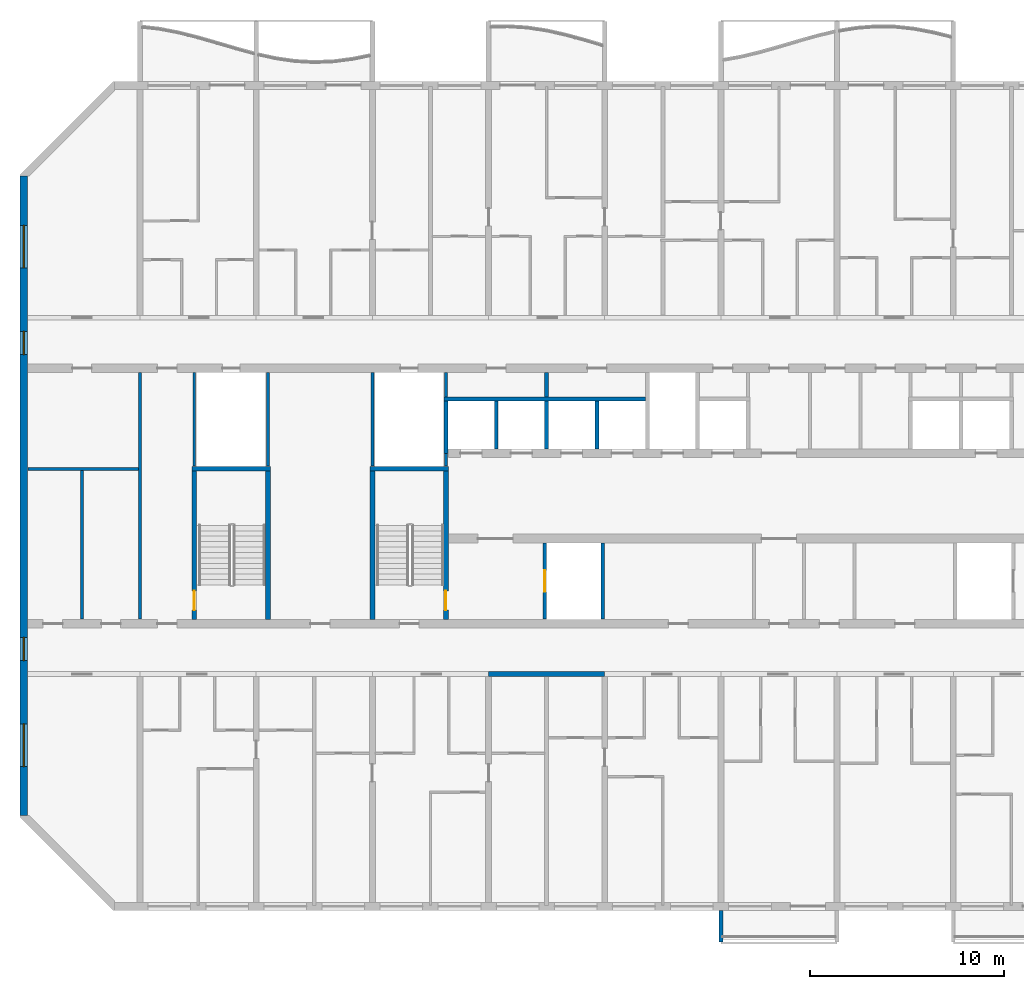
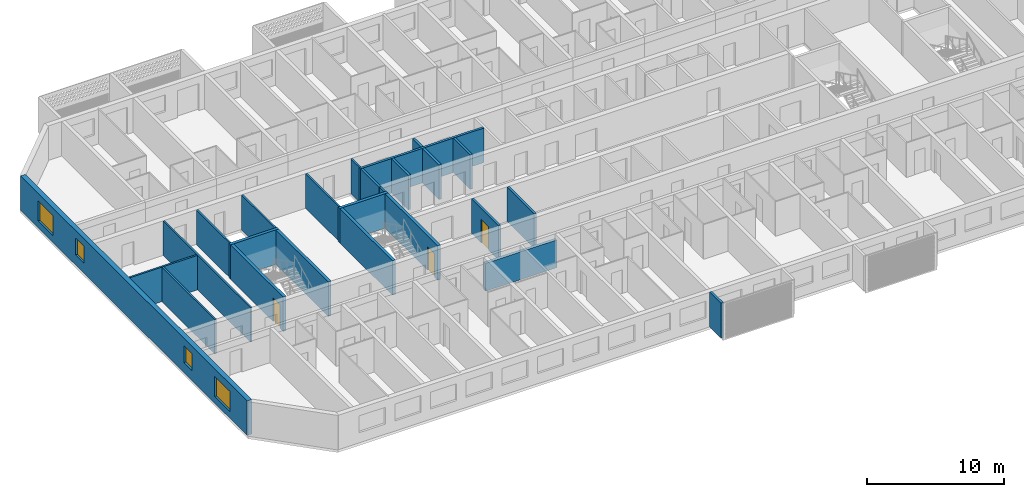
# One storey, part 3 of 31: 25 walls, 4 windows, 3 doors, 7 openings.
"""IFC4 building model written with IfcOpenShell, lengths in metres."""

from ifc_helpers import new_model, si_unit, direction, frame, frame_2d, origin, place, context, subcontext, project, spatial, polyline, rectangle, outline, extrude, source, transform, mapped, material, layer, layer_set, type_object, element, fill, save


model = new_model("IFC4")

# Units and contexts
model_context = context("Model", 3, precision=1e-05, world=origin(), true_north=direction((0.0, 1.0)))
body_context = subcontext(model_context, "Body", "Model", "MODEL_VIEW")
ifc_project = project(units=[si_unit("LENGTHUNIT", "METRE"), si_unit("AREAUNIT", "SQUARE_METRE"), si_unit("VOLUMEUNIT", "CUBIC_METRE"), si_unit("PLANEANGLEUNIT", "RADIAN"), si_unit("MASSUNIT", "GRAM", prefix="KILO")], contexts=[model_context])

# Site, building, storey
site_placement = place(None, origin())
site = spatial("IfcSite", under=ifc_project, at=site_placement, CompositionType="ELEMENT")
building_placement = place(site_placement, origin())
building = spatial("IfcBuilding", under=site, at=building_placement, Name="Poui Terraces", CompositionType="ELEMENT")
storey_placement = place(building_placement, frame((0.0, 0.0, 145.5)))
storey = spatial("IfcBuildingStorey", under=building, at=storey_placement, Name="L40", CompositionType="ELEMENT", Elevation=145.5)

# Walls
ifc_material_1 = material(Name="Fire-rated plasterboard wall")
ifc_layer_1 = layer(ifc_material_1, 0.14990234375)
ifc_layer_set_1 = layer_set([ifc_layer_1], Name="Fire-rated plasterboard wall")
wall_type_1 = type_object("IfcWallType", Name="CORRIDOR WALL 150", PredefinedType="PARTITIONING", material=ifc_layer_set_1)
wall_1_placement = place(storey_placement, frame((18.0, 14.8349609375, 0.0), z_axis=(0.0, 0.0, 1.0), x_axis=(0.0, 1.0, 0.0)))
element("IfcWall", 1, at=wall_1_placement, inside=storey, type_object=wall_type_1, Name="CORRIDOR WALL 150", PredefinedType="PARTITIONING", context=body_context, shape_type="SweptSolid", body=[
    extrude(rectangle(XDim=12.72998046875, YDim=0.14990234375, at=frame_2d((6.364990234375, 0.0))), origin(), (0.0, 0.0, 1.0), 3.070068359375),
])
ifc_material_2 = material(Name="Concrete 65 MPa", Category="concrete")
ifc_layer_2 = layer(ifc_material_2, 0.25)
ifc_layer_set_2 = layer_set([ifc_layer_2], Name="Concrete 65 MPa")
wall_type_2 = type_object("IfcWallType", Name="CORRIDOR WALL 250 65MPa", PredefinedType="SHEAR", material=ifc_layer_set_2)
wall_2_placement = place(storey_placement, frame((36.0, 12.0, 0.0), z_axis=(0.0, 0.0, 1.0), x_axis=(1.0, 0.0, 0.0)))
element("IfcWall", 2, at=wall_2_placement, inside=storey, type_object=wall_type_2, Name="CORRIDOR WALL LINE B BAY 5", PredefinedType="SHEAR", context=body_context, shape_type="SweptSolid", body=[
    extrude(rectangle(XDim=6.0, YDim=0.25, at=frame_2d((3.0, 0.0))), origin(), (0.0, 0.0, 1.0), 2.469970703125),
])

# Wall, openings, windows
ifc_layer_3 = layer(ifc_material_2, 0.39990234375)
ifc_layer_set_3 = layer_set([ifc_layer_3], Name="Concrete 65 MPa")
wall_type_3 = type_object("IfcWallType", Name="END WALL 400 65MPa", PredefinedType="SHEAR", material=ifc_layer_set_3)
wall_3_placement = place(storey_placement, frame((12.0, 4.682861328125, 0.0), z_axis=(0.0, 0.0, 1.0), x_axis=(0.0, 1.0, 0.0)))
wall_3 = element("IfcWall", 3, at=wall_3_placement, inside=storey, type_object=wall_type_3, Name="END WALL WEST", PredefinedType="SHEAR", context=body_context, shape_type="SweptSolid", body=[
    extrude(rectangle(XDim=33.034423828125, YDim=0.39990234375, at=frame_2d((16.51708984375, 0.0))), origin(), (0.0, 0.0, 1.0), 3.070068359375),
])
opening_1_placement = place(wall_3_placement, frame((23.817138671875, 0.0, 0.89990234375)))
opening_1 = element("IfcOpeningElement", 4, at=opening_1_placement, cuts=wall_3, Name="Opening W2", PredefinedType="OPENING", context=body_context, shape_type="SweptSolid", body=[
    extrude(rectangle(XDim=1.199951171875, YDim=1.5, at=frame_2d((0.60009765625, 0.75))), frame((0.0, 0.2099609375, 0.0), z_axis=(0.0, -1.0, 0.0), x_axis=(1.0, 0.0, 0.0)), (0.0, 0.0, 1.0), 0.419921875),
])
opening_2_placement = place(wall_3_placement, frame((8.01708984375, 0.0, 0.89990234375)))
opening_2 = element("IfcOpeningElement", 5, at=opening_2_placement, cuts=wall_3, Name="Opening W2", PredefinedType="OPENING", context=body_context, shape_type="SweptSolid", body=[
    extrude(rectangle(XDim=1.199951171875, YDim=1.5, at=frame_2d((0.60009765625, 0.75))), frame((0.0, 0.2099609375, 0.0), z_axis=(0.0, -1.0, 0.0), x_axis=(1.0, 0.0, 0.0)), (0.0, 0.0, 1.0), 0.419921875),
])
opening_3_placement = place(wall_3_placement, frame((28.29345703125, 0.0, 0.60009765625)))
opening_3 = element("IfcOpeningElement", 6, at=opening_3_placement, cuts=wall_3, Name="Opening W3", PredefinedType="OPENING", context=body_context, shape_type="SweptSolid", body=[
    extrude(rectangle(XDim=2.199951171875, YDim=1.800048828125, at=frame_2d((1.10009765625, 0.89990234375))), frame((0.0, 0.2099609375, 0.0), z_axis=(0.0, -1.0, 0.0), x_axis=(1.0, 0.0, 0.0)), (0.0, 0.0, 1.0), 0.419921875),
])
opening_4_placement = place(wall_3_placement, frame((2.541015625, 0.0, 0.60009765625)))
opening_4 = element("IfcOpeningElement", 7, at=opening_4_placement, cuts=wall_3, Name="Opening W3", PredefinedType="OPENING", context=body_context, shape_type="SweptSolid", body=[
    extrude(rectangle(XDim=2.199951171875, YDim=1.800048828125, at=frame_2d((1.10009765625, 0.89990234375))), frame((0.0, 0.2099609375, 0.0), z_axis=(0.0, -1.0, 0.0), x_axis=(1.0, 0.0, 0.0)), (0.0, 0.0, 1.0), 0.419921875),
])
ifc_material_3 = material(Name="Clear glass in aluminium frame", Category="aluminium")
window_type_1 = type_object("IfcWindowType", Name="WINDOW 1200X1500", PartitioningType="SINGLE_PANEL", PredefinedType="WINDOW", material=ifc_material_3)
window_1_placement = place(opening_1_placement, origin())
window_1 = element("IfcWindow", 8, at=window_1_placement, inside=storey, type_object=window_type_1, Name="W2 WINDOW", OverallHeight=1.5, OverallWidth=1.199951171875, PartitioningType="SINGLE_PANEL", PredefinedType="WINDOW", context=body_context, shape_type="SweptSolid", body=[
    extrude(rectangle(XDim=1.199951171875, YDim=1.5, at=frame_2d((0.60009765625, 0.75))), frame((0.0, 0.030029296875, 0.0), z_axis=(0.0, -1.0, 0.0), x_axis=(1.0, 0.0, 0.0)), (0.0, 0.0, 1.0), 0.06005859375),
])
fill(opening_1, window_1)
window_2_placement = place(opening_2_placement, origin())
window_2 = element("IfcWindow", 9, at=window_2_placement, inside=storey, type_object=window_type_1, Name="W2 WINDOW", OverallHeight=1.5, OverallWidth=1.199951171875, PartitioningType="SINGLE_PANEL", PredefinedType="WINDOW", context=body_context, shape_type="SweptSolid", body=[
    extrude(rectangle(XDim=1.199951171875, YDim=1.5, at=frame_2d((0.60009765625, 0.75))), frame((0.0, 0.030029296875, 0.0), z_axis=(0.0, -1.0, 0.0), x_axis=(1.0, 0.0, 0.0)), (0.0, 0.0, 1.0), 0.06005859375),
])
fill(opening_2, window_2)
window_type_2 = type_object("IfcWindowType", Name="WINDOW 2200X1800", PartitioningType="DOUBLE_PANEL_HORIZONTAL", PredefinedType="WINDOW", material=ifc_material_3)
window_3_placement = place(opening_3_placement, origin())
window_3 = element("IfcWindow", 10, at=window_3_placement, inside=storey, type_object=window_type_2, Name="W3 WINDOW", OverallHeight=1.800048828125, OverallWidth=2.199951171875, PartitioningType="DOUBLE_PANEL_HORIZONTAL", PredefinedType="WINDOW", context=body_context, shape_type="SweptSolid", body=[
    extrude(rectangle(XDim=2.199951171875, YDim=1.800048828125, at=frame_2d((1.10009765625, 0.89990234375))), frame((0.0, 0.030029296875, 0.0), z_axis=(0.0, -1.0, 0.0), x_axis=(1.0, 0.0, 0.0)), (0.0, 0.0, 1.0), 0.06005859375),
])
fill(opening_3, window_3)
window_4_placement = place(opening_4_placement, origin())
window_4 = element("IfcWindow", 11, at=window_4_placement, inside=storey, type_object=window_type_2, Name="W3 WINDOW", OverallHeight=1.800048828125, OverallWidth=2.199951171875, PartitioningType="DOUBLE_PANEL_HORIZONTAL", PredefinedType="WINDOW", context=body_context, shape_type="SweptSolid", body=[
    extrude(rectangle(XDim=2.199951171875, YDim=1.800048828125, at=frame_2d((1.10009765625, 0.89990234375))), frame((0.0, 0.030029296875, 0.0), z_axis=(0.0, -1.0, 0.0), x_axis=(1.0, 0.0, 0.0)), (0.0, 0.0, 1.0), 0.06005859375),
])
fill(opening_4, window_4)

# Walls
ifc_material_4 = material(Name="Plasterboard partition")
ifc_layer_4 = layer(ifc_material_4, 0.14990234375)
ifc_layer_set_4 = layer_set([ifc_layer_4], Name="Plasterboard partition")
wall_type_4 = type_object("IfcWallType", Name="PARTITION WALL 150", PredefinedType="PARTITIONING", material=ifc_layer_set_4)
wall_4_placement = place(storey_placement, frame((12.2099609375, 22.60009765625, 0.0), z_axis=(0.0, 0.0, 1.0), x_axis=(1.0, 0.0, 0.0)))
element("IfcWall", 12, at=wall_4_placement, inside=storey, type_object=wall_type_4, Name="PARTITION WALL 150", PredefinedType="PARTITIONING", context=body_context, shape_type="SweptSolid", body=[
    extrude(rectangle(XDim=5.715087890625, YDim=0.14990234375, at=frame_2d((2.857421875, 0.0))), origin(), (0.0, 0.0, 1.0), 3.070068359375),
])
wall_5_placement = place(storey_placement, frame((15.0, 14.8349609375, 0.0), z_axis=(0.0, 0.0, 1.0), x_axis=(0.0, 1.0, 0.0)))
element("IfcWall", 13, at=wall_5_placement, inside=storey, type_object=wall_type_4, Name="PARTITION WALL 150", PredefinedType="PARTITIONING", context=body_context, shape_type="SweptSolid", body=[
    extrude(rectangle(XDim=7.68994140625, YDim=0.14990234375, at=frame_2d((3.844970703125, 0.0))), origin(), (0.0, 0.0, 1.0), 3.070068359375),
])
ifc_material_5 = material(Name="Fire-rated masonry wall", Category="masonry")
ifc_layer_5 = layer(ifc_material_5, 0.199951171875)
ifc_layer_set_5 = layer_set([ifc_layer_5], Name="Fire-rated masonry wall")
wall_type_5 = type_object("IfcWallType", Name="PLANT ROOM WALL 200", PredefinedType="PARTITIONING", material=ifc_layer_set_5)
wall_6_placement = place(storey_placement, frame((39.0, 26.300048828125, 0.0), z_axis=(0.0, 0.0, 1.0), x_axis=(0.0, 1.0, 0.0)))
element("IfcWall", 14, at=wall_6_placement, inside=storey, type_object=wall_type_5, Name="PLANT ROOM WALL 200", PredefinedType="PARTITIONING", context=body_context, shape_type="SweptSolid", body=[
    extrude(rectangle(XDim=1.264892578125, YDim=0.199951171875, at=frame_2d((0.63232421875, 0.0))), origin(), (0.0, 0.0, 1.0), 3.070068359375),
])
ifc_material_6 = material(Name="Fire-rated plasterboard riser wall")
ifc_layer_6 = layer(ifc_material_6, 0.14990234375)
ifc_layer_set_6 = layer_set([ifc_layer_6], Name="Fire-rated plasterboard riser wall")
wall_type_6 = type_object("IfcWallType", Name="RISER WALL 150", PredefinedType="PARTITIONING", material=ifc_layer_set_6)
for number, where, z_axis, x_axis, name in (
    (15, (20.800048828125, 22.735107421875, 0.0), (0.0, 0.0, 1.0), (0.0, 1.0, 0.0), "RISER WALL 150"),
    (16, (24.60009765625, 22.735107421875, 0.0), (0.0, 0.0, 1.0), (0.0, 1.0, 0.0), "RISER WALL 150"),
    (17, (30.0, 22.735107421875, 0.0), (0.0, 0.0, 1.0), (0.0, 1.0, 0.0), "RISER WALL 150"),
):
    element("IfcWall", number, at=place(storey_placement, frame(where, z_axis=z_axis, x_axis=x_axis)), inside=storey, type_object=wall_type_6, Name=name, PredefinedType="PARTITIONING", context=body_context, shape_type="SweptSolid", body=[
        extrude(rectangle(XDim=4.829833984375, YDim=0.14990234375, at=frame_2d((2.4150390625, 0.0))), origin(), (0.0, 0.0, 1.0), 3.070068359375),
    ])
wall_7_placement = place(storey_placement, frame((33.800048828125, 22.735107421875, 0.0), z_axis=(0.0, 0.0, 1.0), x_axis=(0.0, 1.0, 0.0)))
element("IfcWall", 18, at=wall_7_placement, inside=storey, type_object=wall_type_6, Name="RISER WALL 150", PredefinedType="PARTITIONING", context=body_context, shape_type="SweptSolid", body=[
    extrude(rectangle(XDim=0.664794921875, YDim=0.14990234375, at=frame_2d((0.33251953125, 0.0))), origin(), (0.0, 0.0, 1.0), 3.070068359375),
])
wall_8_placement = place(storey_placement, frame((33.800048828125, 26.300048828125, 0.0), z_axis=(0.0, 0.0, 1.0), x_axis=(0.0, 1.0, 0.0)))
element("IfcWall", 19, at=wall_8_placement, inside=storey, type_object=wall_type_6, Name="RISER WALL 150", PredefinedType="PARTITIONING", context=body_context, shape_type="SweptSolid", body=[
    extrude(rectangle(XDim=1.264892578125, YDim=0.14990234375, at=frame_2d((0.63232421875, 0.0))), origin(), (0.0, 0.0, 1.0), 3.070068359375),
])
ifc_material_7 = material(Name="Fire-rated masonry shaft wall", Category="masonry")
ifc_layer_7 = layer(ifc_material_7, 0.199951171875)
ifc_layer_set_7 = layer_set([ifc_layer_7], Name="Fire-rated masonry shaft wall")
wall_type_7 = type_object("IfcWallType", Name="SHAFT WALL 200", PredefinedType="PARTITIONING", material=ifc_layer_set_7)
wall_9_placement = place(storey_placement, frame((33.699951171875, 26.199951171875, 0.0), z_axis=(0.0, 0.0, 1.0), x_axis=(1.0, 0.0, 0.0)))
element("IfcWall", 20, at=wall_9_placement, inside=storey, type_object=wall_type_7, Name="SHAFT WALL 200", PredefinedType="PARTITIONING", context=body_context, shape_type="SweptSolid", body=[
    extrude(rectangle(XDim=10.400146484375, YDim=0.199951171875, at=frame_2d((5.2001953125, 0.0))), origin(), (0.0, 0.0, 1.0), 3.070068359375),
])
wall_10_placement = place(storey_placement, frame((33.800048828125, 23.39990234375, 0.0), z_axis=(0.0, 0.0, 1.0), x_axis=(0.0, 1.0, 0.0)))
element("IfcWall", 21, at=wall_10_placement, inside=storey, type_object=wall_type_7, Name="SHAFT WALL 200", PredefinedType="PARTITIONING", context=body_context, shape_type="SweptSolid", body=[
    extrude(rectangle(XDim=2.7001953125, YDim=0.199951171875, at=frame_2d((1.35009765625, 0.0))), origin(), (0.0, 0.0, 1.0), 3.070068359375),
])
wall_11_placement = place(storey_placement, frame((36.39990234375, 23.635009765625, 0.0), z_axis=(0.0, 0.0, 1.0), x_axis=(0.0, 1.0, 0.0)))
element("IfcWall", 22, at=wall_11_placement, inside=storey, type_object=wall_type_7, Name="SHAFT WALL 200", PredefinedType="PARTITIONING", context=body_context, shape_type="SweptSolid", body=[
    extrude(rectangle(XDim=2.465087890625, YDim=0.199951171875, at=frame_2d((1.232421875, 0.0))), origin(), (0.0, 0.0, 1.0), 3.070068359375),
])

# Wall, opening, door
wall_12_placement = place(storey_placement, frame((38.89990234375, 14.8349609375, 0.0), z_axis=(0.0, 0.0, 1.0), x_axis=(0.0, 1.0, 0.0)))
wall_12 = element("IfcWall", 23, at=wall_12_placement, inside=storey, type_object=wall_type_7, Name="SHAFT WALL 200", PredefinedType="PARTITIONING", context=body_context, shape_type="SweptSolid", body=[
    extrude(rectangle(XDim=3.929931640625, YDim=0.199951171875, at=frame_2d((1.96484375, 0.0))), origin(), (0.0, 0.0, 1.0), 3.070068359375),
])
opening_5_placement = place(wall_12_placement, frame((1.4150390625, 0.0, 0.0)))
opening_5 = element("IfcOpeningElement", 24, at=opening_5_placement, cuts=wall_12, Name="Opening LD", PredefinedType="OPENING", context=body_context, shape_type="SweptSolid", body=[
    extrude(rectangle(XDim=1.10009765625, YDim=2.10009765625, at=frame_2d((0.550048828125, 1.050048828125))), frame((0.0, 0.10986328125, 0.0), z_axis=(0.0, -1.0, 0.0), x_axis=(1.0, 0.0, 0.0)), (0.0, 0.0, 1.0), 0.219970703125),
])
ifc_material_8 = material(Name="Stainless steel sliding door", Category="steel")
door_type_1 = type_object("IfcDoorType", Name="LIFT LANDING DOOR 1100 X 2100", OperationType="DOUBLE_DOOR_SLIDING", PredefinedType="DOOR", material=ifc_material_8)
door_1_placement = place(opening_5_placement, origin())
door_1 = element("IfcDoor", 25, at=door_1_placement, inside=storey, type_object=door_type_1, Name="LANDING DOOR", OperationType="DOUBLE_DOOR_SLIDING", OverallHeight=2.10009765625, OverallWidth=1.10009765625, PredefinedType="DOOR", context=body_context, shape_type="SweptSolid", body=[
    extrude(rectangle(XDim=1.10009765625, YDim=2.10009765625, at=frame_2d((0.550048828125, 1.050048828125))), frame((0.0, 0.02490234375, 0.0), z_axis=(0.0, -1.0, 0.0), x_axis=(1.0, 0.0, 0.0)), (0.0, 0.0, 1.0), 0.050048828125),
])
fill(opening_5, door_1)

# Walls
for number, where, z_axis, x_axis, name in (
    (26, (39.0, 23.635009765625, 0.0), (0.0, 0.0, 1.0), (0.0, 1.0, 0.0), "SHAFT WALL 200"),
    (27, (41.60009765625, 23.635009765625, 0.0), (0.0, 0.0, 1.0), (0.0, 1.0, 0.0), "SHAFT WALL 200"),
):
    element("IfcWall", number, at=place(storey_placement, frame(where, z_axis=z_axis, x_axis=x_axis)), inside=storey, type_object=wall_type_7, Name=name, PredefinedType="PARTITIONING", context=body_context, shape_type="SweptSolid", body=[
        extrude(rectangle(XDim=2.465087890625, YDim=0.199951171875, at=frame_2d((1.232421875, 0.0))), origin(), (0.0, 0.0, 1.0), 3.070068359375),
    ])
wall_13_placement = place(storey_placement, frame((41.89990234375, 14.8349609375, 0.0), z_axis=(0.0, 0.0, 1.0), x_axis=(0.0, 1.0, 0.0)))
element("IfcWall", 28, at=wall_13_placement, inside=storey, type_object=wall_type_7, Name="SHAFT WALL 200", PredefinedType="PARTITIONING", context=body_context, shape_type="SweptSolid", body=[
    extrude(rectangle(XDim=3.929931640625, YDim=0.199951171875, at=frame_2d((1.96484375, 0.0))), origin(), (0.0, 0.0, 1.0), 3.070068359375),
])
ifc_layer_8 = layer(ifc_material_2, 0.25)
ifc_layer_set_8 = layer_set([ifc_layer_8], Name="Concrete 65 MPa")
wall_type_8 = type_object("IfcWallType", Name="STAIR CORE WALL 250 65 MPA", PredefinedType="SOLIDWALL", material=ifc_layer_set_8)
wall_14_placement = place(storey_placement, frame((30.0, 14.824951171875, 0.0), z_axis=(0.0, 0.0, 1.0), x_axis=(0.0, 1.0, 0.0)))
element("IfcWall", 29, at=wall_14_placement, inside=storey, type_object=wall_type_8, Name="STAIR CORE WALL", PredefinedType="SOLIDWALL", context=body_context, shape_type="SweptSolid", body=[
    extrude(rectangle(XDim=7.650146484375, YDim=0.25, at=frame_2d((3.8251953125, 0.0))), origin(), (0.0, 0.0, 1.0), 3.070068359375),
])

# Wall, opening, door
wall_15_placement = place(storey_placement, frame((33.800048828125, 14.824951171875, 0.0), z_axis=(0.0, 0.0, 1.0), x_axis=(0.0, 1.0, 0.0)))
wall_15 = element("IfcWall", 30, at=wall_15_placement, inside=storey, type_object=wall_type_8, Name="STAIR CORE WALL", PredefinedType="SOLIDWALL", context=body_context, shape_type="SweptSolid", body=[
    extrude(rectangle(XDim=7.650146484375, YDim=0.25, at=frame_2d((3.8251953125, 0.0))), origin(), (0.0, 0.0, 1.0), 3.070068359375),
])
opening_6_placement = place(wall_15_placement, frame((0.47509765625, 0.0, 0.0)))
opening_6 = element("IfcOpeningElement", 31, at=opening_6_placement, cuts=wall_15, Name="Opening FD60S", PredefinedType="OPENING", context=body_context, shape_type="SweptSolid", body=[
    extrude(rectangle(XDim=1.0, YDim=2.10009765625, at=frame_2d((0.5, 1.050048828125))), frame((0.0, 0.135009765625, 0.0), z_axis=(0.0, -1.0, 0.0), x_axis=(1.0, 0.0, 0.0)), (0.0, 0.0, 1.0), 0.27001953125),
])
ifc_material_9 = material(Name="Steel fire door", Category="steel")
door_type_2 = type_object("IfcDoorType", Name="STAIR DOOR 1000 X 2100", OperationType="NOTDEFINED", PredefinedType="DOOR", material=ifc_material_9)
door_2_placement = place(opening_6_placement, origin())
door_2 = element("IfcDoor", 32, at=door_2_placement, inside=storey, type_object=door_type_2, Name="STAIR DOOR 122", OperationType="SINGLE_SWING_LEFT", OverallHeight=2.10009765625, OverallWidth=1.0, PredefinedType="DOOR", context=body_context, shape_type="SweptSolid", body=[
    extrude(rectangle(XDim=1.0, YDim=2.10009765625, at=frame_2d((0.5, 1.050048828125))), frame((0.0, 0.02490234375, 0.0), z_axis=(0.0, -1.0, 0.0), x_axis=(1.0, 0.0, 0.0)), (0.0, 0.0, 1.0), 0.050048828125),
])
fill(opening_6, door_2)

# Wall
wall_16_placement = place(storey_placement, frame((29.875, 22.60009765625, 0.0), z_axis=(0.0, 0.0, 1.0), x_axis=(1.0, 0.0, 0.0)))
element("IfcWall", 33, at=wall_16_placement, inside=storey, type_object=wall_type_8, Name="STAIR CORE WALL", PredefinedType="SOLIDWALL", context=body_context, shape_type="SweptSolid", body=[
    extrude(rectangle(XDim=4.050048828125, YDim=0.25, at=frame_2d((2.02490234375, 0.0))), origin(), (0.0, 0.0, 1.0), 3.070068359375),
])

# Wall, opening, door
wall_17_placement = place(storey_placement, frame((20.800048828125, 14.824951171875, 0.0), z_axis=(0.0, 0.0, 1.0), x_axis=(0.0, 1.0, 0.0)))
wall_17 = element("IfcWall", 34, at=wall_17_placement, inside=storey, type_object=wall_type_8, Name="STAIR CORE WALL", PredefinedType="SOLIDWALL", context=body_context, shape_type="SweptSolid", body=[
    extrude(rectangle(XDim=7.650146484375, YDim=0.25, at=frame_2d((3.8251953125, 0.0))), origin(), (0.0, 0.0, 1.0), 3.070068359375),
])
opening_7_placement = place(wall_17_placement, frame((0.47509765625, 0.0, 0.0)))
opening_7 = element("IfcOpeningElement", 35, at=opening_7_placement, cuts=wall_17, Name="Opening FD60S", PredefinedType="OPENING", context=body_context, shape_type="SweptSolid", body=[
    extrude(rectangle(XDim=1.0, YDim=2.10009765625, at=frame_2d((0.5, 1.050048828125))), frame((0.0, 0.135009765625, 0.0), z_axis=(0.0, -1.0, 0.0), x_axis=(1.0, 0.0, 0.0)), (0.0, 0.0, 1.0), 0.27001953125),
])
door_3_placement = place(opening_7_placement, frame((1.0, 0.0, 0.0), z_axis=(0.0, 0.0, 1.0), x_axis=(-1.0, 0.0, 0.0)))
door_3 = element("IfcDoor", 36, at=door_3_placement, inside=storey, type_object=door_type_2, Name="STAIR DOOR 136", OperationType="SINGLE_SWING_RIGHT", OverallHeight=2.10009765625, OverallWidth=1.0, PredefinedType="DOOR", context=body_context, shape_type="SweptSolid", body=[
    extrude(rectangle(XDim=1.0, YDim=2.10009765625, at=frame_2d((0.5, 1.050048828125))), frame((0.0, 0.02490234375, 0.0), z_axis=(0.0, -1.0, 0.0), x_axis=(1.0, 0.0, 0.0)), (0.0, 0.0, 1.0), 0.050048828125),
])
fill(opening_7, door_3)

# Walls
wall_18_placement = place(storey_placement, frame((24.60009765625, 14.824951171875, 0.0), z_axis=(0.0, 0.0, 1.0), x_axis=(0.0, 1.0, 0.0)))
element("IfcWall", 37, at=wall_18_placement, inside=storey, type_object=wall_type_8, Name="STAIR CORE WALL", PredefinedType="SOLIDWALL", context=body_context, shape_type="SweptSolid", body=[
    extrude(rectangle(XDim=7.650146484375, YDim=0.25, at=frame_2d((3.8251953125, 0.0))), origin(), (0.0, 0.0, 1.0), 3.070068359375),
])
wall_19_placement = place(storey_placement, frame((20.675048828125, 22.60009765625, 0.0), z_axis=(0.0, 0.0, 1.0), x_axis=(1.0, 0.0, 0.0)))
element("IfcWall", 38, at=wall_19_placement, inside=storey, type_object=wall_type_8, Name="STAIR CORE WALL", PredefinedType="SOLIDWALL", context=body_context, shape_type="SweptSolid", body=[
    extrude(rectangle(XDim=4.050048828125, YDim=0.25, at=frame_2d((2.02490234375, 0.0))), origin(), (0.0, 0.0, 1.0), 3.070068359375),
])
ifc_material_10 = material(Name="Precast concrete 40 MPa", Category="concrete")
ifc_layer_9 = layer(ifc_material_10, 0.199951171875)
ifc_layer_set_9 = layer_set([ifc_layer_9], Name="Precast concrete 40 MPa")
wall_type_9 = type_object("IfcWallType", Name="REAR FIN 200", PredefinedType="STANDARD", material=ifc_layer_set_9)
shared_shape = source(origin(), body_context, "Body", "SweptSolid", [
    extrude(outline(polyline([(0.0, 0.0), (0.2001953125, 0.0), (0.2001953125, 1.650146484375), (0.0, 1.650146484375), (0.0, 0.0)])), origin(), (0.0, 0.0, 1.0), 3.10009765625),
])
wall_20_placement = place(storey_placement, frame((47.89990234375, -1.85009765625, 0.0)))
element("IfcWall", 39, at=wall_20_placement, inside=storey, type_object=wall_type_9, Name="REAR FIN", PredefinedType="STANDARD", context=body_context, shape_type="MappedRepresentation", body=[
    mapped(shared_shape, transform((0.0, 0.0, 0.0))),
])

save(model, "model.ifc")
